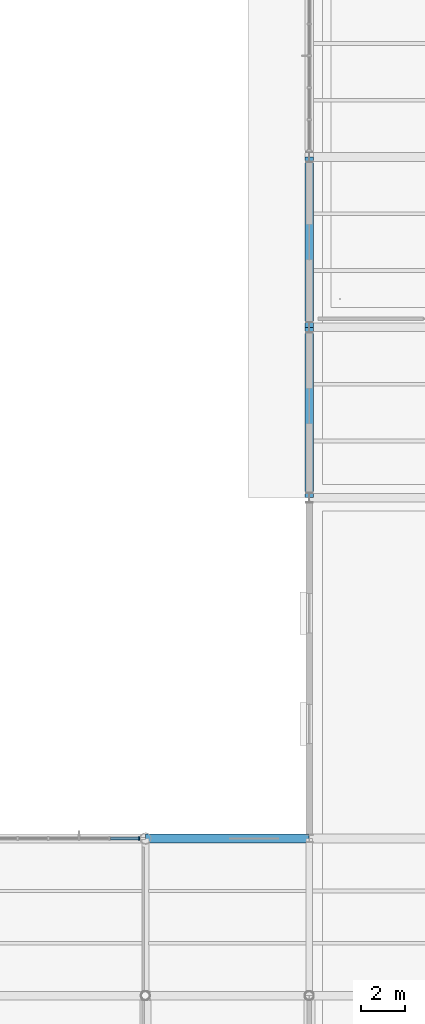
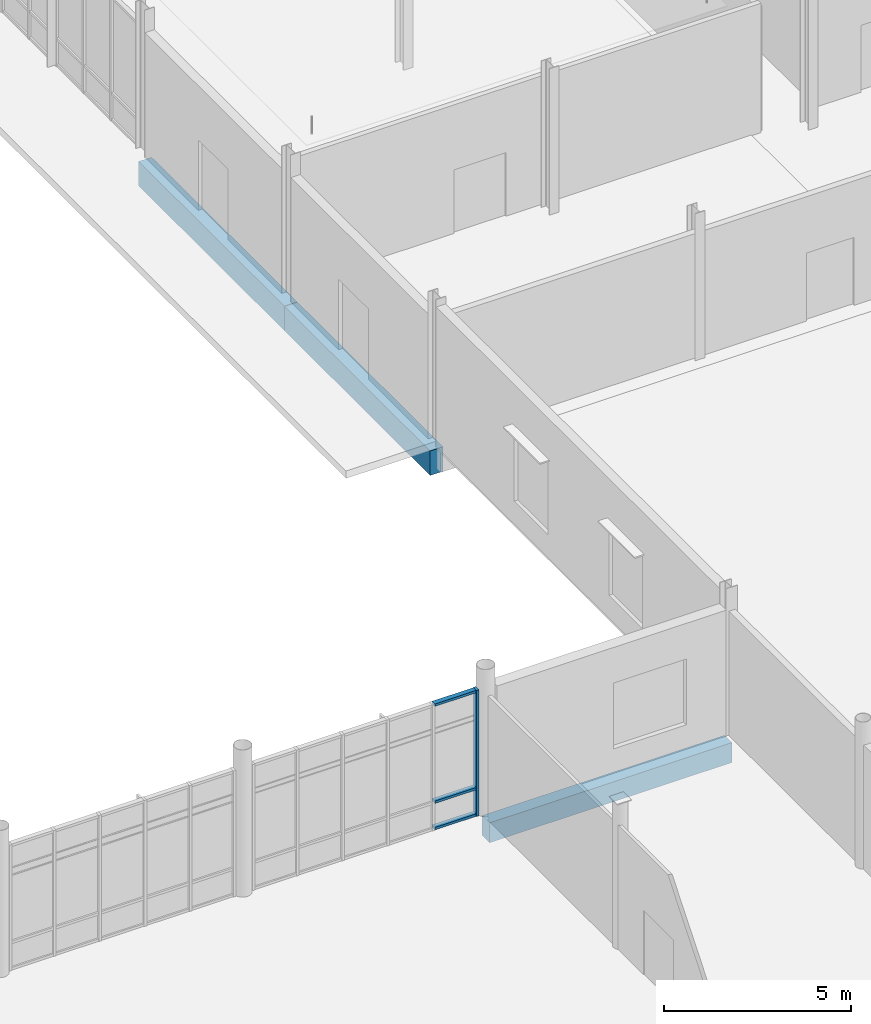
# One storey, part 22 of 82: 4 members, 3 beams, 1 element without a shape of its own.
"""IFC4 building model written with IfcOpenShell, lengths in metres."""

from ifc_helpers import new_model, si_unit, direction, frame, origin, origin_2d, place, context, subcontext, project, spatial, rectangle, extrude, material, layer, layer_set, material_profile, profile_set, type_object, element, aggregate, save


model = new_model("IFC4")

# Units and contexts
model_context = context("Model", 3, precision=1e-05, world=origin(), true_north=direction((0.0, 1.0)))
body_context = subcontext(model_context, "Body", "Model", "MODEL_VIEW")
ifc_project = project(units=[si_unit("LENGTHUNIT", "METRE"), si_unit("AREAUNIT", "SQUARE_METRE"), si_unit("VOLUMEUNIT", "CUBIC_METRE"), si_unit("PLANEANGLEUNIT", "RADIAN"), si_unit("MASSUNIT", "GRAM", prefix="KILO")], contexts=[model_context])

# Site, building, storey
site_placement = place(None, origin())
site = spatial("IfcSite", under=ifc_project, at=site_placement, CompositionType="ELEMENT")
building_placement = place(site_placement, origin())
building = spatial("IfcBuilding", under=site, at=building_placement, Name="Yukiwa Park Conservatory and Herbarium", CompositionType="ELEMENT")
storey_placement = place(building_placement, origin())
storey = spatial("IfcBuildingStorey", under=building, at=storey_placement, Name="L00", CompositionType="ELEMENT", Elevation=0.0)

# Beams
ifc_material_1 = material(Name="Concrete C40", Category="concrete")
ifc_material_profile_1 = material_profile(ifc_material_1, rectangle(XDim=0.39990234375, YDim=0.64990234375, at=origin_2d()), Name="RC 400x650")
ifc_profile_set_1 = profile_set([ifc_material_profile_1], Name="Concrete C40")
beam_type_1 = type_object("IfcBeamType", Name="BM-RC-400X650", PredefinedType="BEAM", material=ifc_profile_set_1)
beam_placement = place(storey_placement, frame((52.506103515625, 31.199951171875, -0.5849609375), z_axis=(1.0, 0.0, 0.0), x_axis=(0.0, 1.0, 0.0)))
element("IfcBeam", 1, at=beam_placement, inside=storey, type_object=beam_type_1, Name="L00 grid beam X-52", PredefinedType="BEAM", context=body_context, shape_type="SweptSolid", body=[
    extrude(rectangle(XDim=0.39990234375, YDim=0.64990234375, at=origin_2d()), origin(), (0.0, 0.0, 1.0), 7.48779296875),
])
ifc_material_2 = material(Name="Concrete C40", Category="concrete")
ifc_material_profile_2 = material_profile(ifc_material_2, rectangle(XDim=0.39990234375, YDim=0.800048828125, at=origin_2d()), Name="RC 400x800")
ifc_profile_set_2 = profile_set([ifc_material_profile_2], Name="Concrete C40")
beam_type_2 = type_object("IfcBeamType", Name="BM-RC-400X800", PredefinedType="BEAM", material=ifc_profile_set_2)
for number, where, z_axis, x_axis, name in (
    (2, (60.0, 46.805908203125, -0.659912109375), (0.0, 1.0, 0.0), (-1.0, 0.0, 0.0), "L00 grid girder Y-213"),
    (3, (60.0, 54.60595703125, -0.659912109375), (0.0, 1.0, 0.0), (-1.0, 0.0, 0.0), "L00 grid girder Y-214"),
):
    element("IfcBeam", number, at=place(storey_placement, frame(where, z_axis=z_axis, x_axis=x_axis)), inside=storey, type_object=beam_type_2, Name=name, PredefinedType="BEAM", context=body_context, shape_type="SweptSolid", body=[
        extrude(rectangle(XDim=0.39990234375, YDim=0.800048828125, at=origin_2d()), origin(), (0.0, 0.0, 1.0), 7.7880859375),
    ])

# Curtain wall, members
ifc_material_3 = material(Name="Triple Low-E Insulated Glass", Category="glass")
ifc_layer = layer(ifc_material_3, 0.152099609375)
ifc_layer_set = layer_set([ifc_layer], Name="Triple Low-E Insulated Glass")
curtain_wall_type = type_object("IfcCurtainWallType", Name="CW-CONSERVATORY-1500", PredefinedType="NOTDEFINED", material=ifc_layer_set)
curtain_wall_placement = place(storey_placement, origin())
curtain_wall = element("IfcCurtainWall", 4, at=curtain_wall_placement, inside=storey, type_object=curtain_wall_type, Name="L00 unitised curtain wall CW-L00-018", PredefinedType="NOTDEFINED")
ifc_material_4 = material(Name="Anodised Aluminium", Category="aluminium")
member_type_1 = type_object("IfcMemberType", Name="MB-CW-MUL-80X180", PredefinedType="MULLION", material=ifc_material_4)
member_1_placement = place(storey_placement, frame((52.2060546875, 31.199951171875, 0.0), z_axis=(0.0, 0.0, 1.0), x_axis=(-1.0, 0.0, 0.0)))
member_1 = element("IfcMember", 5, at=member_1_placement, type_object=member_type_1, Name="CW-L00-018 mullion 1", PredefinedType="MULLION", context=body_context, shape_type="SweptSolid", body=[
    extrude(rectangle(XDim=0.080078125, YDim=0.179931640625, at=origin_2d()), origin(), (0.0, 0.0, 1.0), 4.110107421875),
])
ifc_material_5 = material(Name="Anodised Aluminium", Category="aluminium")
member_type_2 = type_object("IfcMemberType", Name="MB-CW-TRN-80X150", PredefinedType="USERDEFINED", material=ifc_material_5)
member_2_placement = place(storey_placement, frame((51.546875, 31.199951171875, 0.0), z_axis=(0.0, 0.0, 1.0), x_axis=(-1.0, 0.0, 0.0)))
member_2 = element("IfcMember", 6, at=member_2_placement, type_object=member_type_2, Name="CW-L00-018 transom 1.1", ObjectType="TRANSOM", PredefinedType="USERDEFINED", context=body_context, shape_type="SweptSolid", body=[
    extrude(rectangle(XDim=1.318359375, YDim=0.14990234375, at=origin_2d()), origin(), (0.0, 0.0, 1.0), 0.080078125),
])
member_3_placement = place(storey_placement, frame((51.546875, 31.199951171875, 0.85986328125), z_axis=(0.0, 0.0, 1.0), x_axis=(-1.0, 0.0, 0.0)))
member_3 = element("IfcMember", 7, at=member_3_placement, type_object=member_type_2, Name="CW-L00-018 transom 1.2", ObjectType="TRANSOM", PredefinedType="USERDEFINED", context=body_context, shape_type="SweptSolid", body=[
    extrude(rectangle(XDim=1.318359375, YDim=0.14990234375, at=origin_2d()), origin(), (0.0, 0.0, 1.0), 0.080078125),
])
member_4_placement = place(storey_placement, frame((51.546875, 31.199951171875, 4.030029296875), z_axis=(0.0, 0.0, 1.0), x_axis=(-1.0, 0.0, 0.0)))
member_4 = element("IfcMember", 8, at=member_4_placement, type_object=member_type_2, Name="CW-L00-018 transom 1.3", ObjectType="TRANSOM", PredefinedType="USERDEFINED", context=body_context, shape_type="SweptSolid", body=[
    extrude(rectangle(XDim=1.318359375, YDim=0.14990234375, at=origin_2d()), origin(), (0.0, 0.0, 1.0), 0.080078125),
])
aggregate(curtain_wall, [member_1, member_2, member_3, member_4])

save(model, "model.ifc")
